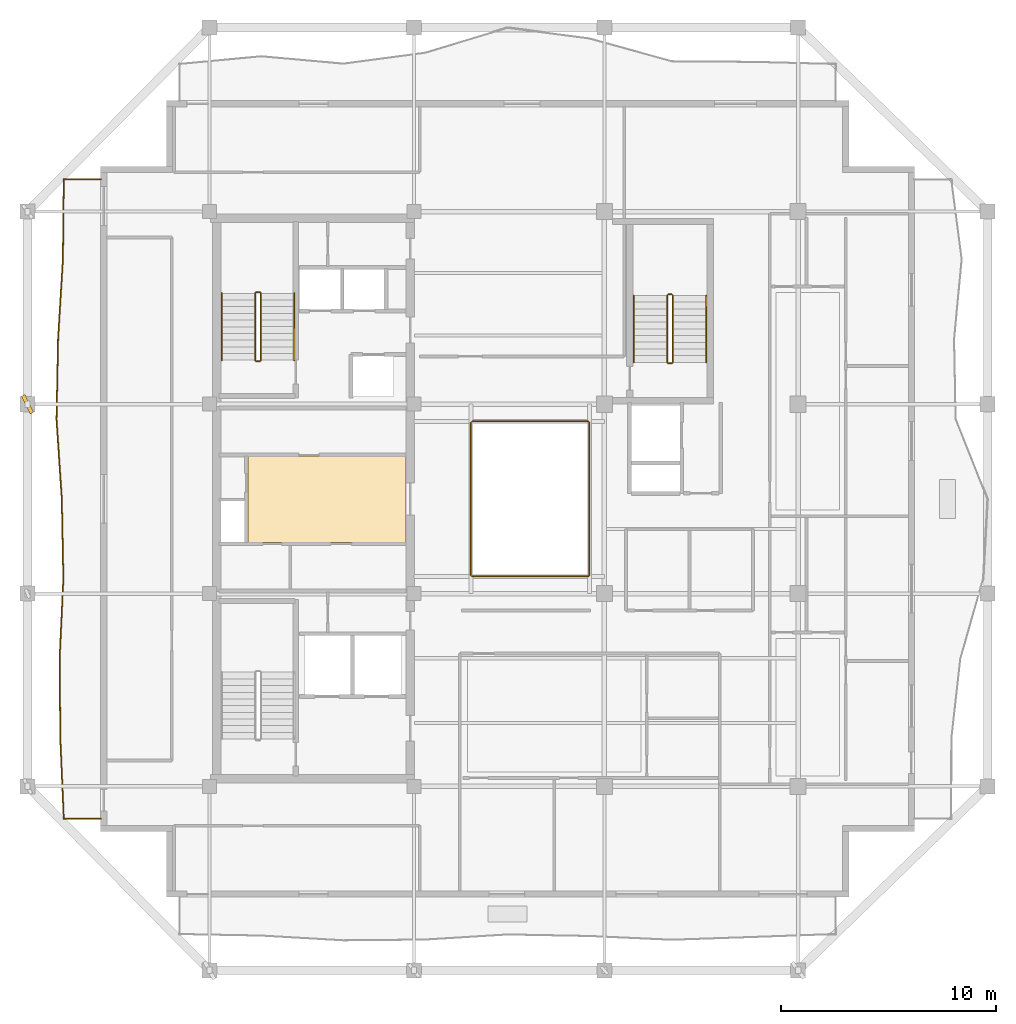
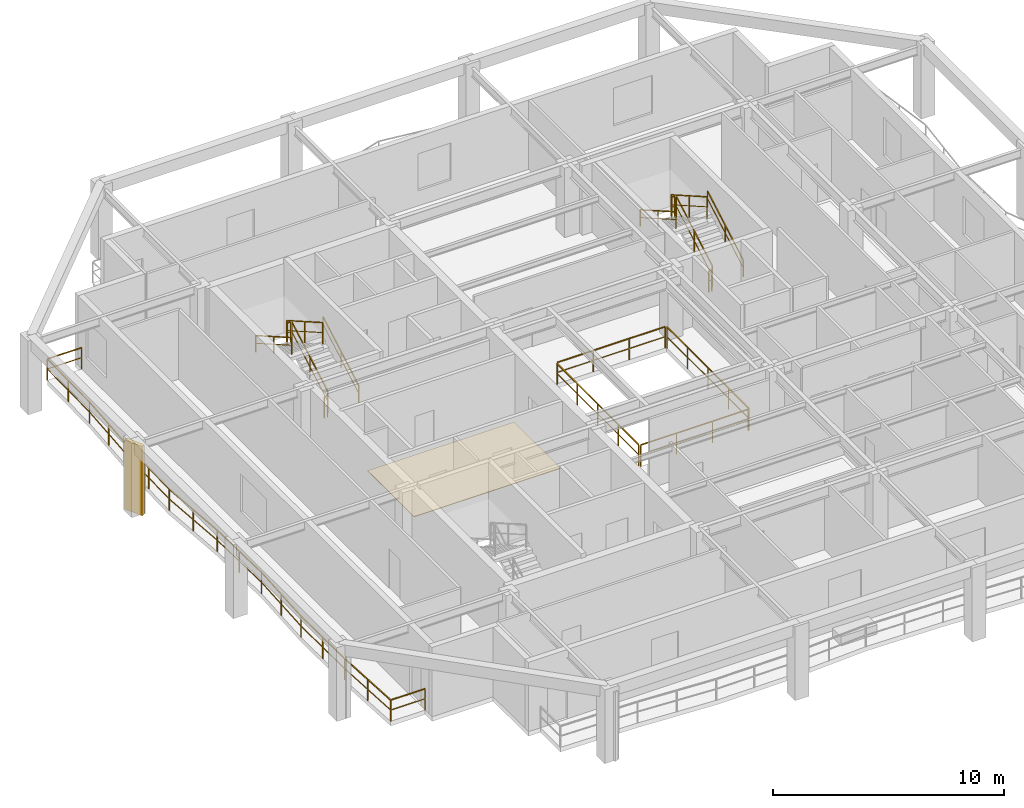
# One storey, part 8 of 10: 17 railings, 1 covering, 1 shading device.
"""IFC4 building model written with IfcOpenShell, lengths in metres."""

from ifc_helpers import new_model, si_unit, direction, frame, origin, origin_2d, place, context, subcontext, project, spatial, polyline, rectangle, outline, extrude, material, layer, layer_set, type_object, element, save


model = new_model("IFC4")

# Units and contexts
model_context = context("Model", 3, precision=1e-05, world=origin(), true_north=direction((0.0, 1.0)))
body_context = subcontext(model_context, "Body", "Model", "MODEL_VIEW")
ifc_project = project(units=[si_unit("LENGTHUNIT", "METRE"), si_unit("AREAUNIT", "SQUARE_METRE"), si_unit("VOLUMEUNIT", "CUBIC_METRE"), si_unit("PLANEANGLEUNIT", "RADIAN"), si_unit("MASSUNIT", "GRAM", prefix="KILO")], contexts=[model_context])

# Site, building, storey
site_placement = place(None, origin())
site = spatial("IfcSite", under=ifc_project, at=site_placement, CompositionType="ELEMENT")
building_placement = place(site_placement, origin())
building = spatial("IfcBuilding", under=site, at=building_placement, Name="Kundavana Baori Tower", CompositionType="ELEMENT")
storey_placement = place(building_placement, frame((0.0, 0.0, 276.5)))
storey = spatial("IfcBuildingStorey", under=building, at=storey_placement, Name="L68", CompositionType="ELEMENT", Elevation=276.5)

# Covering
ifc_material_1 = material(Name="Honed Kota Stone and Terrazzo Flooring", Category="masonry")
ifc_layer = layer(ifc_material_1, 0.030029296875, Name="COV-INT-FLR")
ifc_layer_set = layer_set([ifc_layer], Name="Honed Kota Stone and Terrazzo Flooring")
covering_type = type_object("IfcCoveringType", Name="COV-INT-FLR", PredefinedType="FLOORING", material=ifc_layer_set)
covering_placement = place(storey_placement, origin())
element("IfcCovering", 1, at=covering_placement, inside=storey, type_object=covering_type, Name="L68 Core Lift Lobby Kota Stone Flooring", PredefinedType="FLOORING", context=body_context, shape_type="SweptSolid", body=[
    extrude(outline(polyline([(17.25, 26.580078125), (24.580078125, 26.580078125), (24.580078125, 30.60009765625), (17.25, 30.60009765625), (17.25, 26.580078125)])), origin(), (0.0, 0.0, 1.0), 0.030029296875),
])

# Railings
ifc_material_2 = material(Name="Architectural Patinated Bronze Metalwork")
railing_type_1 = type_object("IfcRailingType", Name="RL-BAL-1150", PredefinedType="BALUSTRADE", material=ifc_material_2)
railing_1_placement = place(storey_placement, frame((10.39990234375, 13.75, 0.0)))
element("IfcRailing", 2, at=railing_1_placement, inside=storey, type_object=railing_type_1, Name="L68 Loggia Balcony Balustrade W", PredefinedType="BALUSTRADE", context=body_context, shape_type="SweptSolid", body=[
    extrude(rectangle(XDim=0.048095703125, YDim=0.048095703125, at=origin_2d()), frame((0.0, 0.0, 1.1259765625), z_axis=(-1.0, 0.0, 0.0), x_axis=(0.0, -1.0, 0.0)), (0.0, 0.0, 1.0), 1.719970703125),
    extrude(rectangle(XDim=0.03125, YDim=0.03125, at=origin_2d()), frame((0.0, 0.0, 0.597900390625), z_axis=(-1.0, 0.0, 0.0), x_axis=(0.0, -1.0, 0.0)), (0.0, 0.0, 1.0), 1.719970703125),
    extrude(rectangle(XDim=0.048095703125, YDim=0.048095703125, at=origin_2d()), frame((-1.719970703125, 0.0, 1.1259765625), z_axis=(-0.043040845849, 0.99907331342, 0.0), x_axis=(-0.99907331342, -0.043040845849, 0.0)), (0.0, 0.0, 1.0), 3.71533203125),
    extrude(rectangle(XDim=0.03125, YDim=0.03125, at=origin_2d()), frame((-1.719970703125, 0.0, 0.597900390625), z_axis=(-0.043040845849, 0.99907331342, 0.0), x_axis=(-0.99907331342, -0.043040845849, 0.0)), (0.0, 0.0, 1.0), 3.71533203125),
    extrude(rectangle(XDim=0.048095703125, YDim=0.048095703125, at=origin_2d()), frame((-1.8798828125, 3.7119140625, 1.1259765625), z_axis=(-0.00861300157, 0.999962907414, 0.0), x_axis=(-0.999962907414, -0.00861300157, 0.0)), (0.0, 0.0, 1.0), 3.71337890625),
    extrude(rectangle(XDim=0.03125, YDim=0.03125, at=origin_2d()), frame((-1.8798828125, 3.7119140625, 0.597900390625), z_axis=(-0.00861300157, 0.999962907414, 0.0), x_axis=(-0.999962907414, -0.00861300157, 0.0)), (0.0, 0.0, 1.0), 3.71337890625),
    extrude(rectangle(XDim=0.048095703125, YDim=0.048095703125, at=origin_2d()), frame((-1.911865234375, 7.425048828125, 1.1259765625), z_axis=(0.04650407778, 0.998918100121, 0.0), x_axis=(-0.998918100121, 0.04650407778, 0.0)), (0.0, 0.0, 1.0), 3.716796875),
    extrude(rectangle(XDim=0.03125, YDim=0.03125, at=origin_2d()), frame((-1.911865234375, 7.425048828125, 0.597900390625), z_axis=(0.04650407778, 0.998918100121, 0.0), x_axis=(-0.998918100121, 0.04650407778, 0.0)), (0.0, 0.0, 1.0), 3.716796875),
    extrude(rectangle(XDim=0.048095703125, YDim=0.048095703125, at=origin_2d()), frame((-1.739013671875, 11.137939453125, 1.1259765625), z_axis=(-0.019660783014, 0.999806708125, 0.0), x_axis=(-0.999806708125, -0.019660783014, 0.0)), (0.0, 0.0, 1.0), 3.712890625),
    extrude(rectangle(XDim=0.03125, YDim=0.03125, at=origin_2d()), frame((-1.739013671875, 11.137939453125, 0.597900390625), z_axis=(-0.019660783014, 0.999806708125, 0.0), x_axis=(-0.999806708125, -0.019660783014, 0.0)), (0.0, 0.0, 1.0), 3.712890625),
    extrude(rectangle(XDim=0.048095703125, YDim=0.048095703125, at=origin_2d()), frame((-1.81201171875, 14.85009765625, 1.1259765625), z_axis=(-0.065826399877, 0.997831090455, 0.0), x_axis=(-0.997831090455, -0.065826399877, 0.0)), (0.0, 0.0, 1.0), 3.719970703125),
    extrude(rectangle(XDim=0.03125, YDim=0.03125, at=origin_2d()), frame((-1.81201171875, 14.85009765625, 0.597900390625), z_axis=(-0.065826399877, 0.997831090455, 0.0), x_axis=(-0.997831090455, -0.065826399877, 0.0)), (0.0, 0.0, 1.0), 3.719970703125),
    extrude(rectangle(XDim=0.048095703125, YDim=0.048095703125, at=origin_2d()), frame((-2.056884765625, 18.56201171875, 1.1259765625), z_axis=(0.019656906136, 0.999806784354, 0.0), x_axis=(-0.999806784354, 0.019656906136, 0.0)), (0.0, 0.0, 1.0), 3.713623046875),
    extrude(rectangle(XDim=0.03125, YDim=0.03125, at=origin_2d()), frame((-2.056884765625, 18.56201171875, 0.597900390625), z_axis=(0.019656906136, 0.999806784354, 0.0), x_axis=(-0.999806784354, 0.019656906136, 0.0)), (0.0, 0.0, 1.0), 3.713623046875),
    extrude(rectangle(XDim=0.048095703125, YDim=0.048095703125, at=origin_2d()), frame((-1.98388671875, 22.27490234375, 1.1259765625), z_axis=(0.060183954025, 0.998187302904, 0.0), x_axis=(-0.998187302904, 0.060183954025, 0.0)), (0.0, 0.0, 1.0), 3.719970703125),
    extrude(rectangle(XDim=0.03125, YDim=0.03125, at=origin_2d()), frame((-1.98388671875, 22.27490234375, 0.597900390625), z_axis=(0.060183954025, 0.998187302904, 0.0), x_axis=(-0.998187302904, 0.060183954025, 0.0)), (0.0, 0.0, 1.0), 3.719970703125),
    extrude(rectangle(XDim=0.048095703125, YDim=0.048095703125, at=origin_2d()), frame((-1.760009765625, 25.988037109375, 1.1259765625), z_axis=(0.01078600763, 0.999941829328, 0.0), x_axis=(-0.999941829328, 0.01078600763, 0.0)), (0.0, 0.0, 1.0), 3.712158203125),
    extrude(rectangle(XDim=0.03125, YDim=0.03125, at=origin_2d()), frame((-1.760009765625, 25.988037109375, 0.597900390625), z_axis=(0.01078600763, 0.999941829328, 0.0), x_axis=(-0.999941829328, 0.01078600763, 0.0)), (0.0, 0.0, 1.0), 3.712158203125),
    extrude(rectangle(XDim=0.048095703125, YDim=0.048095703125, at=origin_2d()), frame((-1.719970703125, 29.699951171875, 1.1259765625), z_axis=(1.0, 0.0, 0.0), x_axis=(0.0, 1.0, 0.0)), (0.0, 0.0, 1.0), 1.719970703125),
    extrude(rectangle(XDim=0.03125, YDim=0.03125, at=origin_2d()), frame((-1.719970703125, 29.699951171875, 0.597900390625), z_axis=(1.0, 0.0, 0.0), x_axis=(0.0, 1.0, 0.0)), (0.0, 0.0, 1.0), 1.719970703125),
    extrude(rectangle(XDim=0.0419921875, YDim=0.0419921875, at=origin_2d()), origin(), (0.0, 0.0, 1.0), 1.101806640625),
    extrude(rectangle(XDim=0.0419921875, YDim=0.0419921875, at=origin_2d()), frame((-1.719970703125, 0.0, 0.0)), (0.0, 0.0, 1.0), 1.101806640625),
    extrude(rectangle(XDim=0.0419921875, YDim=0.0419921875, at=origin_2d()), frame((-1.7998046875, 1.85595703125, 0.0)), (0.0, 0.0, 1.0), 1.101806640625),
    extrude(rectangle(XDim=0.0419921875, YDim=0.0419921875, at=origin_2d()), frame((-1.8798828125, 3.7119140625, 0.0)), (0.0, 0.0, 1.0), 1.101806640625),
    extrude(rectangle(XDim=0.0419921875, YDim=0.0419921875, at=origin_2d()), frame((-1.89599609375, 5.568359375, 0.0)), (0.0, 0.0, 1.0), 1.101806640625),
    extrude(rectangle(XDim=0.0419921875, YDim=0.0419921875, at=origin_2d()), frame((-1.911865234375, 7.425048828125, 0.0)), (0.0, 0.0, 1.0), 1.101806640625),
    extrude(rectangle(XDim=0.0419921875, YDim=0.0419921875, at=origin_2d()), frame((-1.825439453125, 9.281494140625, 0.0)), (0.0, 0.0, 1.0), 1.101806640625),
    extrude(rectangle(XDim=0.0419921875, YDim=0.0419921875, at=origin_2d()), frame((-1.739013671875, 11.137939453125, 0.0)), (0.0, 0.0, 1.0), 1.101806640625),
    extrude(rectangle(XDim=0.0419921875, YDim=0.0419921875, at=origin_2d()), frame((-1.775390625, 12.994140625, 0.0)), (0.0, 0.0, 1.0), 1.101806640625),
    extrude(rectangle(XDim=0.0419921875, YDim=0.0419921875, at=origin_2d()), frame((-1.81201171875, 14.85009765625, 0.0)), (0.0, 0.0, 1.0), 1.101806640625),
    extrude(rectangle(XDim=0.0419921875, YDim=0.0419921875, at=origin_2d()), frame((-1.9345703125, 16.7060546875, 0.0)), (0.0, 0.0, 1.0), 1.101806640625),
    extrude(rectangle(XDim=0.0419921875, YDim=0.0419921875, at=origin_2d()), frame((-2.056884765625, 18.56201171875, 0.0)), (0.0, 0.0, 1.0), 1.101806640625),
    extrude(rectangle(XDim=0.0419921875, YDim=0.0419921875, at=origin_2d()), frame((-2.0205078125, 20.41845703125, 0.0)), (0.0, 0.0, 1.0), 1.101806640625),
    extrude(rectangle(XDim=0.0419921875, YDim=0.0419921875, at=origin_2d()), frame((-1.98388671875, 22.27490234375, 0.0)), (0.0, 0.0, 1.0), 1.101806640625),
    extrude(rectangle(XDim=0.0419921875, YDim=0.0419921875, at=origin_2d()), frame((-1.8720703125, 24.13134765625, 0.0)), (0.0, 0.0, 1.0), 1.101806640625),
    extrude(rectangle(XDim=0.0419921875, YDim=0.0419921875, at=origin_2d()), frame((-1.760009765625, 25.988037109375, 0.0)), (0.0, 0.0, 1.0), 1.101806640625),
    extrude(rectangle(XDim=0.0419921875, YDim=0.0419921875, at=origin_2d()), frame((-1.739990234375, 27.843994140625, 0.0)), (0.0, 0.0, 1.0), 1.101806640625),
    extrude(rectangle(XDim=0.0419921875, YDim=0.0419921875, at=origin_2d()), frame((-1.719970703125, 29.699951171875, 0.0)), (0.0, 0.0, 1.0), 1.101806640625),
    extrude(rectangle(XDim=0.0419921875, YDim=0.0419921875, at=origin_2d()), frame((0.0, 29.699951171875, 0.0)), (0.0, 0.0, 1.0), 1.101806640625),
])
ifc_material_3 = material(Name="Architectural Patinated Bronze Metalwork")
railing_type_2 = type_object("IfcRailingType", Name="RL-GRD-1150", PredefinedType="GUARDRAIL", material=ifc_material_3)
railing_2_placement = place(storey_placement, frame((17.840087890625, 35.050048828125, 0.17724609375)))
element("IfcRailing", 3, at=railing_2_placement, inside=storey, type_object=railing_type_2, Name="L68 ST2 stair guard 1", PredefinedType="GUARDRAIL", context=body_context, shape_type="SweptSolid", body=[
    extrude(rectangle(XDim=0.048095703125, YDim=0.048095703125, at=origin_2d()), frame((0.0, 0.0, 1.1259765625), z_axis=(0.0, 0.868079009454, 0.496426060301), x_axis=(-1.0, 0.0, 0.0)), (0.0, 0.0, 1.0), 3.571044921875),
    extrude(rectangle(XDim=0.03125, YDim=0.03125, at=origin_2d()), frame((0.0, 0.0, 0.597900390625), z_axis=(0.0, 0.868079009454, 0.496426060301), x_axis=(-1.0, 0.0, 0.0)), (0.0, 0.0, 1.0), 3.571044921875),
    extrude(rectangle(XDim=0.0419921875, YDim=0.0419921875, at=origin_2d()), origin(), (0.0, 0.0, 1.0), 1.101806640625),
    extrude(rectangle(XDim=0.0419921875, YDim=0.0419921875, at=origin_2d()), frame((0.0, 1.5498046875, 0.88623046875)), (0.0, 0.0, 1.0), 1.101806640625),
    extrude(rectangle(XDim=0.0419921875, YDim=0.0419921875, at=origin_2d()), frame((0.0, 3.099853515625, 1.772705078125)), (0.0, 0.0, 1.0), 1.101806640625),
])
railing_3_placement = place(storey_placement, frame((17.7900390625, 38.199951171875, 1.949951171875)))
element("IfcRailing", 4, at=railing_3_placement, inside=storey, type_object=railing_type_2, Name="L68 ST2 stair guard 2", PredefinedType="GUARDRAIL", context=body_context, shape_type="SweptSolid", body=[
    extrude(rectangle(XDim=0.048095703125, YDim=0.048095703125, at=origin_2d()), frame((0.0, 0.0, 1.1259765625), z_axis=(-1.0, 0.0, 0.0), x_axis=(0.0, -1.0, 0.0)), (0.0, 0.0, 1.0), 0.16015625),
    extrude(rectangle(XDim=0.03125, YDim=0.03125, at=origin_2d()), frame((0.0, 0.0, 0.597900390625), z_axis=(-1.0, 0.0, 0.0), x_axis=(0.0, -1.0, 0.0)), (0.0, 0.0, 1.0), 0.16015625),
    extrude(rectangle(XDim=0.0419921875, YDim=0.0419921875, at=origin_2d()), origin(), (0.0, 0.0, 1.0), 1.101806640625),
    extrude(rectangle(XDim=0.0419921875, YDim=0.0419921875, at=origin_2d()), frame((-0.16015625, 0.0, 0.0)), (0.0, 0.0, 1.0), 1.101806640625),
])
railing_4_placement = place(storey_placement, frame((17.580078125, 38.14990234375, 2.127197265625)))
element("IfcRailing", 5, at=railing_4_placement, inside=storey, type_object=railing_type_2, Name="L68 ST2 stair guard 3", PredefinedType="GUARDRAIL", context=body_context, shape_type="SweptSolid", body=[
    extrude(rectangle(XDim=0.048095703125, YDim=0.048095703125, at=origin_2d()), frame((0.0, 0.0, 1.1259765625), z_axis=(0.0, -0.868079009454, 0.496426060301), x_axis=(1.0, 0.0, 0.0)), (0.0, 0.0, 1.0), 3.571044921875),
    extrude(rectangle(XDim=0.03125, YDim=0.03125, at=origin_2d()), frame((0.0, 0.0, 0.597900390625), z_axis=(0.0, -0.868079009454, 0.496426060301), x_axis=(1.0, 0.0, 0.0)), (0.0, 0.0, 1.0), 3.571044921875),
    extrude(rectangle(XDim=0.0419921875, YDim=0.0419921875, at=origin_2d()), origin(), (0.0, 0.0, 1.0), 1.101806640625),
    extrude(rectangle(XDim=0.0419921875, YDim=0.0419921875, at=origin_2d()), frame((0.0, -1.5498046875, 0.88623046875)), (0.0, 0.0, 1.0), 1.101806640625),
    extrude(rectangle(XDim=0.0419921875, YDim=0.0419921875, at=origin_2d()), frame((0.0, -3.099853515625, 1.772705078125)), (0.0, 0.0, 1.0), 1.101806640625),
])
railing_5_placement = place(storey_placement, frame((17.7900390625, 35.0, 0.0)))
element("IfcRailing", 6, at=railing_5_placement, inside=storey, type_object=railing_type_2, Name="L68 ST2 stair guard 4", PredefinedType="GUARDRAIL", context=body_context, shape_type="SweptSolid", body=[
    extrude(rectangle(XDim=0.048095703125, YDim=0.048095703125, at=origin_2d()), frame((0.0, 0.0, 1.1259765625), z_axis=(-1.0, 0.0, 0.0), x_axis=(0.0, -1.0, 0.0)), (0.0, 0.0, 1.0), 0.16015625),
    extrude(rectangle(XDim=0.03125, YDim=0.03125, at=origin_2d()), frame((0.0, 0.0, 0.597900390625), z_axis=(-1.0, 0.0, 0.0), x_axis=(0.0, -1.0, 0.0)), (0.0, 0.0, 1.0), 0.16015625),
    extrude(rectangle(XDim=0.0419921875, YDim=0.0419921875, at=origin_2d()), origin(), (0.0, 0.0, 1.0), 1.101806640625),
    extrude(rectangle(XDim=0.0419921875, YDim=0.0419921875, at=origin_2d()), frame((-0.16015625, 0.0, 0.0)), (0.0, 0.0, 1.0), 1.101806640625),
])
railing_6_placement = place(storey_placement, frame((36.97998046875, 34.949951171875, 0.17724609375)))
element("IfcRailing", 7, at=railing_6_placement, inside=storey, type_object=railing_type_2, Name="L68 ST3 stair guard 1", PredefinedType="GUARDRAIL", context=body_context, shape_type="SweptSolid", body=[
    extrude(rectangle(XDim=0.048095703125, YDim=0.048095703125, at=origin_2d()), frame((0.0, 0.0, 1.1259765625), z_axis=(0.0, 0.868095856688, 0.496396599103), x_axis=(-1.0, 0.0, 0.0)), (0.0, 0.0, 1.0), 3.571044921875),
    extrude(rectangle(XDim=0.03125, YDim=0.03125, at=origin_2d()), frame((0.0, 0.0, 0.597900390625), z_axis=(0.0, 0.868095856688, 0.496396599103), x_axis=(-1.0, 0.0, 0.0)), (0.0, 0.0, 1.0), 3.571044921875),
    extrude(rectangle(XDim=0.0419921875, YDim=0.0419921875, at=origin_2d()), origin(), (0.0, 0.0, 1.0), 1.101806640625),
    extrude(rectangle(XDim=0.0419921875, YDim=0.0419921875, at=origin_2d()), frame((0.0, 1.550048828125, 0.88623046875)), (0.0, 0.0, 1.0), 1.101806640625),
    extrude(rectangle(XDim=0.0419921875, YDim=0.0419921875, at=origin_2d()), frame((0.0, 3.10009765625, 1.772705078125)), (0.0, 0.0, 1.0), 1.101806640625),
])
railing_7_placement = place(storey_placement, frame((36.929931640625, 38.10009765625, 1.949951171875)))
element("IfcRailing", 8, at=railing_7_placement, inside=storey, type_object=railing_type_2, Name="L68 ST3 stair guard 2", PredefinedType="GUARDRAIL", context=body_context, shape_type="SweptSolid", body=[
    extrude(rectangle(XDim=0.048095703125, YDim=0.048095703125, at=origin_2d()), frame((0.0, 0.0, 1.1259765625), z_axis=(-1.0, 0.0, 0.0), x_axis=(0.0, -1.0, 0.0)), (0.0, 0.0, 1.0), 0.159912109375),
    extrude(rectangle(XDim=0.03125, YDim=0.03125, at=origin_2d()), frame((0.0, 0.0, 0.597900390625), z_axis=(-1.0, 0.0, 0.0), x_axis=(0.0, -1.0, 0.0)), (0.0, 0.0, 1.0), 0.159912109375),
    extrude(rectangle(XDim=0.0419921875, YDim=0.0419921875, at=origin_2d()), origin(), (0.0, 0.0, 1.0), 1.101806640625),
    extrude(rectangle(XDim=0.0419921875, YDim=0.0419921875, at=origin_2d()), frame((-0.159912109375, 0.0, 0.0)), (0.0, 0.0, 1.0), 1.101806640625),
])
railing_8_placement = place(storey_placement, frame((36.719970703125, 38.050048828125, 2.127197265625)))
element("IfcRailing", 9, at=railing_8_placement, inside=storey, type_object=railing_type_2, Name="L68 ST3 stair guard 3", PredefinedType="GUARDRAIL", context=body_context, shape_type="SweptSolid", body=[
    extrude(rectangle(XDim=0.048095703125, YDim=0.048095703125, at=origin_2d()), frame((0.0, 0.0, 1.1259765625), z_axis=(0.0, -0.868095856688, 0.496396599103), x_axis=(1.0, 0.0, 0.0)), (0.0, 0.0, 1.0), 3.571044921875),
    extrude(rectangle(XDim=0.03125, YDim=0.03125, at=origin_2d()), frame((0.0, 0.0, 0.597900390625), z_axis=(0.0, -0.868095856688, 0.496396599103), x_axis=(1.0, 0.0, 0.0)), (0.0, 0.0, 1.0), 3.571044921875),
    extrude(rectangle(XDim=0.0419921875, YDim=0.0419921875, at=origin_2d()), origin(), (0.0, 0.0, 1.0), 1.101806640625),
    extrude(rectangle(XDim=0.0419921875, YDim=0.0419921875, at=origin_2d()), frame((0.0, -1.550048828125, 0.88623046875)), (0.0, 0.0, 1.0), 1.101806640625),
    extrude(rectangle(XDim=0.0419921875, YDim=0.0419921875, at=origin_2d()), frame((0.0, -3.10009765625, 1.772705078125)), (0.0, 0.0, 1.0), 1.101806640625),
])
railing_9_placement = place(storey_placement, frame((36.929931640625, 34.89990234375, 0.0)))
element("IfcRailing", 10, at=railing_9_placement, inside=storey, type_object=railing_type_2, Name="L68 ST3 stair guard 4", PredefinedType="GUARDRAIL", context=body_context, shape_type="SweptSolid", body=[
    extrude(rectangle(XDim=0.048095703125, YDim=0.048095703125, at=origin_2d()), frame((0.0, 0.0, 1.1259765625), z_axis=(-1.0, 0.0, 0.0), x_axis=(0.0, -1.0, 0.0)), (0.0, 0.0, 1.0), 0.159912109375),
    extrude(rectangle(XDim=0.03125, YDim=0.03125, at=origin_2d()), frame((0.0, 0.0, 0.597900390625), z_axis=(-1.0, 0.0, 0.0), x_axis=(0.0, -1.0, 0.0)), (0.0, 0.0, 1.0), 0.159912109375),
    extrude(rectangle(XDim=0.0419921875, YDim=0.0419921875, at=origin_2d()), origin(), (0.0, 0.0, 1.0), 1.101806640625),
    extrude(rectangle(XDim=0.0419921875, YDim=0.0419921875, at=origin_2d()), frame((-0.159912109375, 0.0, 0.0)), (0.0, 0.0, 1.0), 1.101806640625),
])
railing_10_placement = place(storey_placement, frame((27.659912109375, 25.0, 0.0)))
element("IfcRailing", 11, at=railing_10_placement, inside=storey, type_object=railing_type_2, Name="L68 Atrium Void Perimeter Guardrail S", PredefinedType="GUARDRAIL", context=body_context, shape_type="SweptSolid", body=[
    extrude(rectangle(XDim=0.048095703125, YDim=0.048095703125, at=origin_2d()), frame((0.0, 0.0, 1.1259765625), z_axis=(1.0, 0.0, 0.0), x_axis=(0.0, 1.0, 0.0)), (0.0, 0.0, 1.0), 5.380126953125),
    extrude(rectangle(XDim=0.03125, YDim=0.03125, at=origin_2d()), frame((0.0, 0.0, 0.597900390625), z_axis=(1.0, 0.0, 0.0), x_axis=(0.0, 1.0, 0.0)), (0.0, 0.0, 1.0), 5.380126953125),
    extrude(rectangle(XDim=0.0419921875, YDim=0.0419921875, at=origin_2d()), origin(), (0.0, 0.0, 1.0), 1.101806640625),
    extrude(rectangle(XDim=0.0419921875, YDim=0.0419921875, at=origin_2d()), frame((1.79345703125, 0.0, 0.0)), (0.0, 0.0, 1.0), 1.101806640625),
    extrude(rectangle(XDim=0.0419921875, YDim=0.0419921875, at=origin_2d()), frame((3.586669921875, 0.0, 0.0)), (0.0, 0.0, 1.0), 1.101806640625),
    extrude(rectangle(XDim=0.0419921875, YDim=0.0419921875, at=origin_2d()), frame((5.380126953125, 0.0, 0.0)), (0.0, 0.0, 1.0), 1.101806640625),
])
railing_11_placement = place(storey_placement, frame((33.10009765625, 25.06005859375, 0.0)))
element("IfcRailing", 12, at=railing_11_placement, inside=storey, type_object=railing_type_2, Name="L68 Atrium Void Perimeter Guardrail E", PredefinedType="GUARDRAIL", context=body_context, shape_type="SweptSolid", body=[
    extrude(rectangle(XDim=0.048095703125, YDim=0.048095703125, at=origin_2d()), frame((0.0, 0.0, 1.1259765625), z_axis=(0.0, 1.0, 0.0), x_axis=(-1.0, 0.0, 0.0)), (0.0, 0.0, 1.0), 7.079833984375),
    extrude(rectangle(XDim=0.03125, YDim=0.03125, at=origin_2d()), frame((0.0, 0.0, 0.597900390625), z_axis=(0.0, 1.0, 0.0), x_axis=(-1.0, 0.0, 0.0)), (0.0, 0.0, 1.0), 7.079833984375),
    extrude(rectangle(XDim=0.0419921875, YDim=0.0419921875, at=origin_2d()), origin(), (0.0, 0.0, 1.0), 1.101806640625),
    extrude(rectangle(XDim=0.0419921875, YDim=0.0419921875, at=origin_2d()), frame((0.0, 1.77001953125, 0.0)), (0.0, 0.0, 1.0), 1.101806640625),
    extrude(rectangle(XDim=0.0419921875, YDim=0.0419921875, at=origin_2d()), frame((0.0, 3.5400390625, 0.0)), (0.0, 0.0, 1.0), 1.101806640625),
    extrude(rectangle(XDim=0.0419921875, YDim=0.0419921875, at=origin_2d()), frame((0.0, 5.309814453125, 0.0)), (0.0, 0.0, 1.0), 1.101806640625),
    extrude(rectangle(XDim=0.0419921875, YDim=0.0419921875, at=origin_2d()), frame((0.0, 7.079833984375, 0.0)), (0.0, 0.0, 1.0), 1.101806640625),
])
railing_12_placement = place(storey_placement, frame((33.0400390625, 32.199951171875, 0.0)))
element("IfcRailing", 13, at=railing_12_placement, inside=storey, type_object=railing_type_2, Name="L68 Atrium Void Perimeter Guardrail N", PredefinedType="GUARDRAIL", context=body_context, shape_type="SweptSolid", body=[
    extrude(rectangle(XDim=0.048095703125, YDim=0.048095703125, at=origin_2d()), frame((0.0, 0.0, 1.1259765625), z_axis=(-1.0, 0.0, 0.0), x_axis=(0.0, -1.0, 0.0)), (0.0, 0.0, 1.0), 5.380126953125),
    extrude(rectangle(XDim=0.03125, YDim=0.03125, at=origin_2d()), frame((0.0, 0.0, 0.597900390625), z_axis=(-1.0, 0.0, 0.0), x_axis=(0.0, -1.0, 0.0)), (0.0, 0.0, 1.0), 5.380126953125),
    extrude(rectangle(XDim=0.0419921875, YDim=0.0419921875, at=origin_2d()), origin(), (0.0, 0.0, 1.0), 1.101806640625),
    extrude(rectangle(XDim=0.0419921875, YDim=0.0419921875, at=origin_2d()), frame((-1.79345703125, 0.0, 0.0)), (0.0, 0.0, 1.0), 1.101806640625),
    extrude(rectangle(XDim=0.0419921875, YDim=0.0419921875, at=origin_2d()), frame((-3.586669921875, 0.0, 0.0)), (0.0, 0.0, 1.0), 1.101806640625),
    extrude(rectangle(XDim=0.0419921875, YDim=0.0419921875, at=origin_2d()), frame((-5.380126953125, 0.0, 0.0)), (0.0, 0.0, 1.0), 1.101806640625),
])
railing_13_placement = place(storey_placement, frame((27.60009765625, 32.139892578125, 0.0)))
element("IfcRailing", 14, at=railing_13_placement, inside=storey, type_object=railing_type_2, Name="L68 Atrium Void Perimeter Guardrail W", PredefinedType="GUARDRAIL", context=body_context, shape_type="SweptSolid", body=[
    extrude(rectangle(XDim=0.048095703125, YDim=0.048095703125, at=origin_2d()), frame((0.0, 0.0, 1.1259765625), z_axis=(0.0, -1.0, 0.0), x_axis=(1.0, 0.0, 0.0)), (0.0, 0.0, 1.0), 7.079833984375),
    extrude(rectangle(XDim=0.03125, YDim=0.03125, at=origin_2d()), frame((0.0, 0.0, 0.597900390625), z_axis=(0.0, -1.0, 0.0), x_axis=(1.0, 0.0, 0.0)), (0.0, 0.0, 1.0), 7.079833984375),
    extrude(rectangle(XDim=0.0419921875, YDim=0.0419921875, at=origin_2d()), origin(), (0.0, 0.0, 1.0), 1.101806640625),
    extrude(rectangle(XDim=0.0419921875, YDim=0.0419921875, at=origin_2d()), frame((0.0, -1.77001953125, 0.0)), (0.0, 0.0, 1.0), 1.101806640625),
    extrude(rectangle(XDim=0.0419921875, YDim=0.0419921875, at=origin_2d()), frame((0.0, -3.5400390625, 0.0)), (0.0, 0.0, 1.0), 1.101806640625),
    extrude(rectangle(XDim=0.0419921875, YDim=0.0419921875, at=origin_2d()), frame((0.0, -5.309814453125, 0.0)), (0.0, 0.0, 1.0), 1.101806640625),
    extrude(rectangle(XDim=0.0419921875, YDim=0.0419921875, at=origin_2d()), frame((0.0, -7.079833984375, 0.0)), (0.0, 0.0, 1.0), 1.101806640625),
])
ifc_material_4 = material(Name="Architectural Patinated Bronze Metalwork")
railing_type_3 = type_object("IfcRailingType", Name="RL-HND-920", PredefinedType="HANDRAIL", material=ifc_material_4)
railing_14_placement = place(storey_placement, frame((19.389892578125, 35.050048828125, 0.17724609375)))
element("IfcRailing", 15, at=railing_14_placement, inside=storey, type_object=railing_type_3, Name="L68 ST2 stair handrail 1", PredefinedType="HANDRAIL", context=body_context, shape_type="SweptSolid", body=[
    extrude(rectangle(XDim=0.048095703125, YDim=0.048095703125, at=origin_2d()), frame((0.0, 0.0, 0.8759765625), z_axis=(0.0, 0.868079009454, 0.496426060301), x_axis=(-1.0, 0.0, 0.0)), (0.0, 0.0, 1.0), 3.571044921875),
    extrude(rectangle(XDim=0.03125, YDim=0.03125, at=origin_2d()), frame((0.0, 0.0, 0.468017578125), z_axis=(0.0, 0.868079009454, 0.496426060301), x_axis=(-1.0, 0.0, 0.0)), (0.0, 0.0, 1.0), 3.571044921875),
    extrude(rectangle(XDim=0.0419921875, YDim=0.0419921875, at=origin_2d()), origin(), (0.0, 0.0, 1.0), 0.851806640625),
    extrude(rectangle(XDim=0.0419921875, YDim=0.0419921875, at=origin_2d()), frame((0.0, 1.5498046875, 0.88623046875)), (0.0, 0.0, 1.0), 0.851806640625),
    extrude(rectangle(XDim=0.0419921875, YDim=0.0419921875, at=origin_2d()), frame((0.0, 3.099853515625, 1.772705078125)), (0.0, 0.0, 1.0), 0.851806640625),
])
railing_15_placement = place(storey_placement, frame((16.030029296875, 38.14990234375, 2.127197265625)))
element("IfcRailing", 16, at=railing_15_placement, inside=storey, type_object=railing_type_3, Name="L68 ST2 stair handrail 2", PredefinedType="HANDRAIL", context=body_context, shape_type="SweptSolid", body=[
    extrude(rectangle(XDim=0.048095703125, YDim=0.048095703125, at=origin_2d()), frame((0.0, 0.0, 0.8759765625), z_axis=(0.0, -0.868079009454, 0.496426060301), x_axis=(1.0, 0.0, 0.0)), (0.0, 0.0, 1.0), 3.571044921875),
    extrude(rectangle(XDim=0.03125, YDim=0.03125, at=origin_2d()), frame((0.0, 0.0, 0.468017578125), z_axis=(0.0, -0.868079009454, 0.496426060301), x_axis=(1.0, 0.0, 0.0)), (0.0, 0.0, 1.0), 3.571044921875),
    extrude(rectangle(XDim=0.0419921875, YDim=0.0419921875, at=origin_2d()), origin(), (0.0, 0.0, 1.0), 0.851806640625),
    extrude(rectangle(XDim=0.0419921875, YDim=0.0419921875, at=origin_2d()), frame((0.0, -1.5498046875, 0.88623046875)), (0.0, 0.0, 1.0), 0.851806640625),
    extrude(rectangle(XDim=0.0419921875, YDim=0.0419921875, at=origin_2d()), frame((0.0, -3.099853515625, 1.772705078125)), (0.0, 0.0, 1.0), 0.851806640625),
])
railing_16_placement = place(storey_placement, frame((38.530029296875, 34.949951171875, 0.17724609375)))
element("IfcRailing", 17, at=railing_16_placement, inside=storey, type_object=railing_type_3, Name="L68 ST3 stair handrail 1", PredefinedType="HANDRAIL", context=body_context, shape_type="SweptSolid", body=[
    extrude(rectangle(XDim=0.048095703125, YDim=0.048095703125, at=origin_2d()), frame((0.0, 0.0, 0.8759765625), z_axis=(0.0, 0.868095856688, 0.496396599103), x_axis=(-1.0, 0.0, 0.0)), (0.0, 0.0, 1.0), 3.571044921875),
    extrude(rectangle(XDim=0.03125, YDim=0.03125, at=origin_2d()), frame((0.0, 0.0, 0.468017578125), z_axis=(0.0, 0.868095856688, 0.496396599103), x_axis=(-1.0, 0.0, 0.0)), (0.0, 0.0, 1.0), 3.571044921875),
    extrude(rectangle(XDim=0.0419921875, YDim=0.0419921875, at=origin_2d()), origin(), (0.0, 0.0, 1.0), 0.851806640625),
    extrude(rectangle(XDim=0.0419921875, YDim=0.0419921875, at=origin_2d()), frame((0.0, 1.550048828125, 0.88623046875)), (0.0, 0.0, 1.0), 0.851806640625),
    extrude(rectangle(XDim=0.0419921875, YDim=0.0419921875, at=origin_2d()), frame((0.0, 3.10009765625, 1.772705078125)), (0.0, 0.0, 1.0), 0.851806640625),
])
railing_17_placement = place(storey_placement, frame((35.169921875, 38.050048828125, 2.127197265625)))
element("IfcRailing", 18, at=railing_17_placement, inside=storey, type_object=railing_type_3, Name="L68 ST3 stair handrail 2", PredefinedType="HANDRAIL", context=body_context, shape_type="SweptSolid", body=[
    extrude(rectangle(XDim=0.048095703125, YDim=0.048095703125, at=origin_2d()), frame((0.0, 0.0, 0.8759765625), z_axis=(0.0, -0.868095856688, 0.496396599103), x_axis=(1.0, 0.0, 0.0)), (0.0, 0.0, 1.0), 3.571044921875),
    extrude(rectangle(XDim=0.03125, YDim=0.03125, at=origin_2d()), frame((0.0, 0.0, 0.468017578125), z_axis=(0.0, -0.868095856688, 0.496396599103), x_axis=(1.0, 0.0, 0.0)), (0.0, 0.0, 1.0), 3.571044921875),
    extrude(rectangle(XDim=0.0419921875, YDim=0.0419921875, at=origin_2d()), origin(), (0.0, 0.0, 1.0), 0.851806640625),
    extrude(rectangle(XDim=0.0419921875, YDim=0.0419921875, at=origin_2d()), frame((0.0, -1.550048828125, 0.88623046875)), (0.0, 0.0, 1.0), 0.851806640625),
    extrude(rectangle(XDim=0.0419921875, YDim=0.0419921875, at=origin_2d()), frame((0.0, -3.10009765625, 1.772705078125)), (0.0, 0.0, 1.0), 0.851806640625),
])

# Shading device
ifc_material_5 = material(Name="Red-Buff Dholpur Sandstone Cladding on Concrete C40/50", Category="masonry")
shading_device_type = type_object("IfcShadingDeviceType", Name="SHD-FIN-920", PredefinedType="JALOUSIE", material=ifc_material_5)
shading_device_placement = place(storey_placement, frame((7.0, 33.0, 0.0), z_axis=(0.0, 0.0, 1.0), x_axis=(0.897104200397, 0.441819028143, 0.0)))
element("IfcShadingDevice", 19, at=shading_device_placement, inside=storey, type_object=shading_device_type, Name="L68 Sweeping Dholpur Sandstone Facade Fin 7", PredefinedType="JALOUSIE", context=body_context, shape_type="SweptSolid", body=[
    extrude(rectangle(XDim=0.179931640625, YDim=0.919921875, at=origin_2d()), origin(), (0.0, 0.0, 1.0), 3.659912109375),
])

save(model, "model.ifc")
